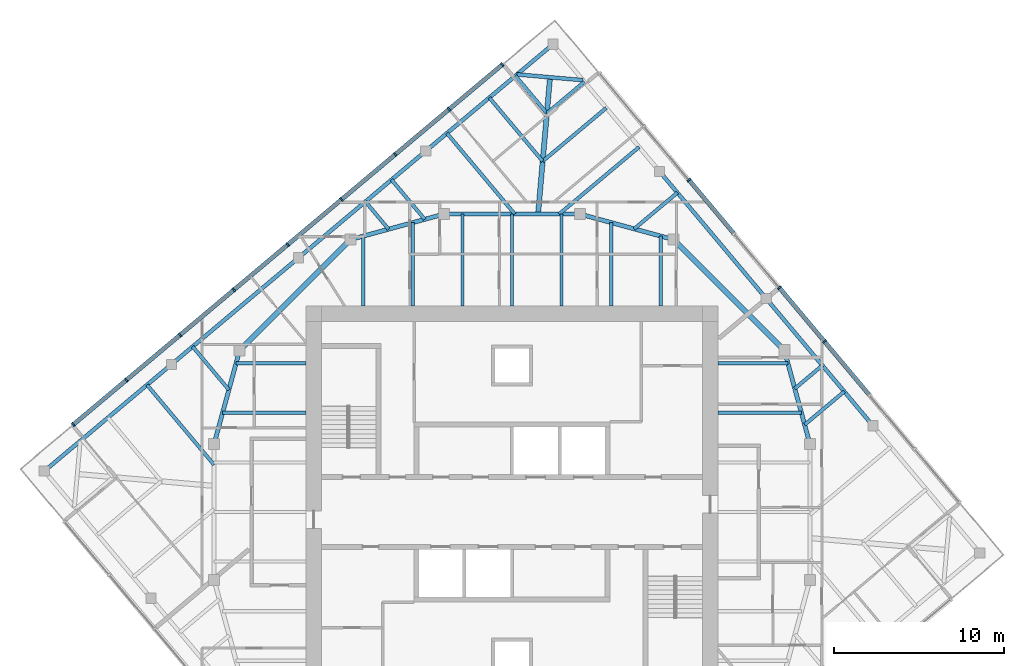
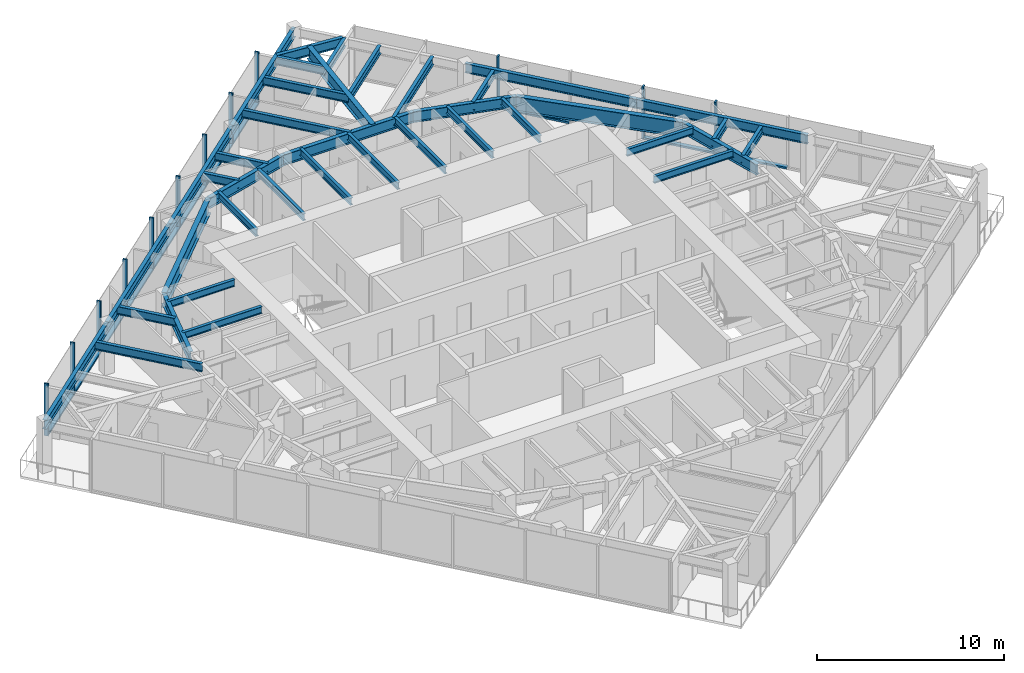
# One storey, part 4 of 12: 39 beams, 23 members, 2 elements without a shape of their own.
"""IFC4 building model written with IfcOpenShell, lengths in metres."""

from ifc_helpers import new_model, si_unit, direction, frame, origin, origin_2d, place, context, subcontext, project, spatial, rectangle, i_section, extrude, material, material_profile, profile_set, type_object, element, aggregate, save


model = new_model("IFC4")

# Units and contexts
model_context = context("Model", 3, precision=1e-05, world=origin(), true_north=direction((0.0, 1.0)))
body_context = subcontext(model_context, "Body", "Model", "MODEL_VIEW")
ifc_project = project(units=[si_unit("LENGTHUNIT", "METRE"), si_unit("AREAUNIT", "SQUARE_METRE"), si_unit("VOLUMEUNIT", "CUBIC_METRE"), si_unit("PLANEANGLEUNIT", "RADIAN"), si_unit("MASSUNIT", "GRAM", prefix="KILO")], contexts=[model_context])

# Site, building, storey
site_placement = place(None, origin())
site = spatial("IfcSite", under=ifc_project, at=site_placement, CompositionType="ELEMENT")
building_placement = place(site_placement, origin())
building = spatial("IfcBuilding", under=site, at=building_placement, Name="Torsade Residences", CompositionType="ELEMENT")
storey_placement = place(building_placement, frame((0.0, 0.0, 293.0)))
storey = spatial("IfcBuildingStorey", under=building, at=storey_placement, Name="L81", CompositionType="ELEMENT", Elevation=293.0)

# Beams
ifc_material_1 = material(Name="Steel grade 300", Category="steel")
ifc_material_profile_1 = material_profile(ifc_material_1, i_section(OverallWidth=0.300048828125, OverallDepth=0.800048828125, WebThickness=0.010009765625, FlangeThickness=0.02001953125, at=origin_2d()), Name="800WB146")
ifc_profile_set_1 = profile_set([ifc_material_profile_1], Name="Steel grade 300")
beam_type_1 = type_object("IfcBeamType", Name="CORNER GIRDER 800WB146", PredefinedType="BEAM", material=ifc_profile_set_1)
beam_1_placement = place(storey_placement, frame((42.234130859375, 55.53515625, 2.85009765625), z_axis=(-0.087172957961, -0.996193191806, 0.0), x_axis=(0.996193191806, -0.087172957961, 0.0)))
element("IfcBeam", 1, at=beam_1_placement, inside=storey, type_object=beam_type_1, Name="Corner girder 09 L82", PredefinedType="BEAM", context=body_context, shape_type="SweptSolid", body=[
    extrude(i_section(OverallWidth=0.300048828125, OverallDepth=0.800048828125, WebThickness=0.010009765625, FlangeThickness=0.02001953125, at=origin_2d()), origin(), (0.0, 0.0, 1.0), 8.06591796875),
])
ifc_material_2 = material(Name="Steel grade 300", Category="steel")
ifc_material_profile_2 = material_profile(ifc_material_2, i_section(OverallWidth=0.22802734375, OverallDepth=0.60205078125, WebThickness=0.010498046875, FlangeThickness=0.014892578125, FilletRadius=0.013916015625, at=origin_2d()), Name="610UB101")
ifc_profile_set_2 = profile_set([ifc_material_profile_2], Name="Steel grade 300")
beam_type_2 = type_object("IfcBeamType", Name="CORNER TRIMMER 610UB101", PredefinedType="BEAM", material=ifc_profile_set_2)
beam_2_placement = place(storey_placement, frame((40.296875, 55.70458984375, 2.948974609375), z_axis=(0.996196646947, -0.087133464362, 0.0), x_axis=(0.087133464362, 0.996196646947, 0.0)))
element("IfcBeam", 2, at=beam_2_placement, inside=storey, type_object=beam_type_2, Name="Corner trimmer 09 L82", PredefinedType="BEAM", context=body_context, shape_type="SweptSolid", body=[
    extrude(i_section(OverallWidth=0.22802734375, OverallDepth=0.60205078125, WebThickness=0.010498046875, FlangeThickness=0.014892578125, FilletRadius=0.013916015625, at=origin_2d()), origin(), (0.0, 0.0, 1.0), 3.88916015625),
])
ifc_material_3 = material(Name="Steel grade 300", Category="steel")
ifc_material_profile_3 = material_profile(ifc_material_3, i_section(OverallWidth=0.22802734375, OverallDepth=0.60205078125, WebThickness=0.010498046875, FlangeThickness=0.014892578125, FilletRadius=0.013916015625, at=origin_2d()), Name="610UB101")
ifc_profile_set_3 = profile_set([ifc_material_profile_3], Name="Steel grade 300")
beam_type_3 = type_object("IfcBeamType", Name="EDGE BEAM 610UB101", PredefinedType="SPANDREL", material=ifc_profile_set_3)
for number, where, z_axis, x_axis, name in (
    (3, (61.205078125, 35.0654296875, 2.948974609375), (-0.642779160279, 0.766051532934, 0.0), (-0.766051532934, -0.642779160279, 0.0), "Edge beam 06 L82"),
    (4, (54.93798828125, 42.534423828125, 2.948974609375), (-0.642806184154, 0.766028856906, 0.0), (-0.766028856906, -0.642806184154, 0.0), "Edge beam 07 L82"),
    (5, (42.403564453125, 57.47216796875, 2.948974609375), (-0.766051532934, -0.642779160279, 0.0), (0.642779160279, -0.766051532934, 0.0), "Edge beam 09 L82"),
    (6, (34.9345703125, 51.205078125, 2.948974609375), (-0.766051532934, -0.642779160279, 0.0), (0.642779160279, -0.766051532934, 0.0), "Edge beam 10 L82"),
    (7, (27.465576171875, 44.93798828125, 2.948974609375), (-0.766028856906, -0.642806184154, 0.0), (0.642806184154, -0.766028856906, 0.0), "Edge beam 11 L82"),
    (8, (19.996826171875, 38.670654296875, 2.948974609375), (-0.766051532934, -0.642779160279, 0.0), (0.642779160279, -0.766051532934, 0.0), "Edge beam 12 L82"),
):
    element("IfcBeam", number, at=place(storey_placement, frame(where, z_axis=z_axis, x_axis=x_axis)), inside=storey, type_object=beam_type_3, Name=name, PredefinedType="SPANDREL", context=body_context, shape_type="SweptSolid", body=[
        extrude(i_section(OverallWidth=0.22802734375, OverallDepth=0.60205078125, WebThickness=0.010498046875, FlangeThickness=0.014892578125, FilletRadius=0.013916015625, at=origin_2d()), origin(), (0.0, 0.0, 1.0), 9.75),
    ])

# Curtain wall, members
ifc_material_4 = material(Name="Aluminium and glass", Category="aluminium")
curtain_wall_type = type_object("IfcCurtainWallType", Name="FRITTED GLASS CURTAIN WALL HIGH ZONE", PredefinedType="NOTDEFINED", material=ifc_material_4)
curtain_wall_1_placement = place(storey_placement, origin())
curtain_wall_1 = element("IfcCurtainWall", 9, at=curtain_wall_1_placement, inside=storey, type_object=curtain_wall_type, Name="Curtain wall L81 face 4", PredefinedType="NOTDEFINED")
ifc_material_5 = material(Name="Aluminium mullion", Category="aluminium")
ifc_material_profile_4 = material_profile(ifc_material_5, rectangle(XDim=0.25, YDim=0.10009765625, at=origin_2d()), Name="HIGH ZONE CURTAIN WALL MULLION 250x100")
ifc_profile_set_4 = profile_set([ifc_material_profile_4], Name="Aluminium mullion")
member_type_1 = type_object("IfcMemberType", Name="HIGH ZONE CURTAIN WALL MULLION 250x100", PredefinedType="MULLION", material=ifc_profile_set_4)
member_1_placement = place(storey_placement, frame((58.35546875, 40.017333984375, 0.0), z_axis=(0.0, 0.0, 1.0), x_axis=(-0.766044437106, -0.642787616853, 0.0)))
member_1 = element("IfcMember", 10, at=member_1_placement, type_object=member_type_1, Name="Mullion 4", PredefinedType="MULLION", context=body_context, shape_type="SweptSolid", body=[
    extrude(rectangle(XDim=0.25, YDim=0.10009765625, at=origin_2d()), origin(), (0.0, 0.0, 1.0), 3.39990234375),
])
member_2_placement = place(storey_placement, frame((55.703857421875, 43.17724609375, 0.0), z_axis=(0.0, 0.0, 1.0), x_axis=(-0.766044437106, -0.642787616853, 0.0)))
member_2 = element("IfcMember", 11, at=member_2_placement, type_object=member_type_1, Name="Mullion 5", PredefinedType="MULLION", context=body_context, shape_type="SweptSolid", body=[
    extrude(rectangle(XDim=0.25, YDim=0.10009765625, at=origin_2d()), origin(), (0.0, 0.0, 1.0), 3.39990234375),
])
member_3_placement = place(storey_placement, frame((50.40087890625, 49.4970703125, 0.0), z_axis=(0.0, 0.0, 1.0), x_axis=(-0.766044437106, -0.642787616853, 0.0)))
member_3 = element("IfcMember", 12, at=member_3_placement, type_object=member_type_1, Name="Mullion 7", PredefinedType="MULLION", context=body_context, shape_type="SweptSolid", body=[
    extrude(rectangle(XDim=0.25, YDim=0.10009765625, at=origin_2d()), origin(), (0.0, 0.0, 1.0), 3.39990234375),
])

curtain_wall_2_placement = place(storey_placement, origin())
curtain_wall_2 = element("IfcCurtainWall", 13, at=curtain_wall_2_placement, inside=storey, type_object=curtain_wall_type, Name="Curtain wall L81 face 7", PredefinedType="NOTDEFINED")
member_4_placement = place(storey_placement, frame((39.42431640625, 56.27783203125, 0.0), z_axis=(0.0, 0.0, 1.0), x_axis=(0.642787616853, -0.766044437106, 0.0)))
member_4 = element("IfcMember", 14, at=member_4_placement, type_object=member_type_1, Name="Mullion 1", PredefinedType="MULLION", context=body_context, shape_type="SweptSolid", body=[
    extrude(rectangle(XDim=0.25, YDim=0.10009765625, at=origin_2d()), origin(), (0.0, 0.0, 1.0), 3.39990234375),
])
member_5_placement = place(storey_placement, frame((36.302734375, 53.658447265625, 0.0), z_axis=(0.0, 0.0, 1.0), x_axis=(0.642787616853, -0.766044437106, 0.0)))
member_5 = element("IfcMember", 15, at=member_5_placement, type_object=member_type_1, Name="Mullion 2", PredefinedType="MULLION", context=body_context, shape_type="SweptSolid", body=[
    extrude(rectangle(XDim=0.25, YDim=0.10009765625, at=origin_2d()), origin(), (0.0, 0.0, 1.0), 3.39990234375),
])
member_6_placement = place(storey_placement, frame((33.142822265625, 51.0068359375, 0.0), z_axis=(0.0, 0.0, 1.0), x_axis=(0.642787616853, -0.766044437106, 0.0)))
member_6 = element("IfcMember", 16, at=member_6_placement, type_object=member_type_1, Name="Mullion 3", PredefinedType="MULLION", context=body_context, shape_type="SweptSolid", body=[
    extrude(rectangle(XDim=0.25, YDim=0.10009765625, at=origin_2d()), origin(), (0.0, 0.0, 1.0), 3.39990234375),
])
member_7_placement = place(storey_placement, frame((29.982666015625, 48.35546875, 0.0), z_axis=(0.0, 0.0, 1.0), x_axis=(0.642787616853, -0.766044437106, 0.0)))
member_7 = element("IfcMember", 17, at=member_7_placement, type_object=member_type_1, Name="Mullion 4", PredefinedType="MULLION", context=body_context, shape_type="SweptSolid", body=[
    extrude(rectangle(XDim=0.25, YDim=0.10009765625, at=origin_2d()), origin(), (0.0, 0.0, 1.0), 3.39990234375),
])
member_8_placement = place(storey_placement, frame((26.82275390625, 45.703857421875, 0.0), z_axis=(0.0, 0.0, 1.0), x_axis=(0.642787616853, -0.766044437106, 0.0)))
member_8 = element("IfcMember", 18, at=member_8_placement, type_object=member_type_1, Name="Mullion 5", PredefinedType="MULLION", context=body_context, shape_type="SweptSolid", body=[
    extrude(rectangle(XDim=0.25, YDim=0.10009765625, at=origin_2d()), origin(), (0.0, 0.0, 1.0), 3.39990234375),
])
member_9_placement = place(storey_placement, frame((23.662841796875, 43.052490234375, 0.0), z_axis=(0.0, 0.0, 1.0), x_axis=(0.642787616853, -0.766044437106, 0.0)))
member_9 = element("IfcMember", 19, at=member_9_placement, type_object=member_type_1, Name="Mullion 6", PredefinedType="MULLION", context=body_context, shape_type="SweptSolid", body=[
    extrude(rectangle(XDim=0.25, YDim=0.10009765625, at=origin_2d()), origin(), (0.0, 0.0, 1.0), 3.39990234375),
])
member_10_placement = place(storey_placement, frame((20.5029296875, 40.40087890625, 0.0), z_axis=(0.0, 0.0, 1.0), x_axis=(0.642787616853, -0.766044437106, 0.0)))
member_10 = element("IfcMember", 20, at=member_10_placement, type_object=member_type_1, Name="Mullion 7", PredefinedType="MULLION", context=body_context, shape_type="SweptSolid", body=[
    extrude(rectangle(XDim=0.25, YDim=0.10009765625, at=origin_2d()), origin(), (0.0, 0.0, 1.0), 3.39990234375),
])
member_11_placement = place(storey_placement, frame((17.343017578125, 37.74951171875, 0.0), z_axis=(0.0, 0.0, 1.0), x_axis=(0.642787616853, -0.766044437106, 0.0)))
member_11 = element("IfcMember", 21, at=member_11_placement, type_object=member_type_1, Name="Mullion 8", PredefinedType="MULLION", context=body_context, shape_type="SweptSolid", body=[
    extrude(rectangle(XDim=0.25, YDim=0.10009765625, at=origin_2d()), origin(), (0.0, 0.0, 1.0), 3.39990234375),
])
member_12_placement = place(storey_placement, frame((14.221435546875, 35.130126953125, 0.0), z_axis=(0.0, 0.0, 1.0), x_axis=(0.642787616853, -0.766044437106, 0.0)))
member_12 = element("IfcMember", 22, at=member_12_placement, type_object=member_type_1, Name="Mullion 9", PredefinedType="MULLION", context=body_context, shape_type="SweptSolid", body=[
    extrude(rectangle(XDim=0.25, YDim=0.10009765625, at=origin_2d()), origin(), (0.0, 0.0, 1.0), 3.39990234375),
])

# Member
ifc_material_6 = material(Name="Aluminium transom", Category="aluminium")
ifc_material_profile_5 = material_profile(ifc_material_6, rectangle(XDim=0.25, YDim=0.1201171875, at=origin_2d()), Name="HIGH ZONE CURTAIN WALL TRANSOM 250x120")
ifc_profile_set_5 = profile_set([ifc_material_profile_5], Name="Aluminium transom")
member_type_2 = type_object("IfcMemberType", Name="HIGH ZONE CURTAIN WALL TRANSOM 250x120", PredefinedType="USERDEFINED", material=ifc_profile_set_5)
member_13_placement = place(storey_placement, frame((60.974853515625, 36.8955078125, 0.06005859375), z_axis=(-0.642793719372, 0.766039316443, 0.0), x_axis=(-0.766039316443, -0.642793719372, 0.0)))
member_13 = element("IfcMember", 23, at=member_13_placement, type_object=member_type_2, Name="Transom 3.1", ObjectType="TRANSOM", PredefinedType="USERDEFINED", context=body_context, shape_type="SweptSolid", body=[
    extrude(rectangle(XDim=0.25, YDim=0.1201171875, at=origin_2d()), origin(), (0.0, 0.0, 1.0), 4.025146484375),
])

member_14_placement = place(storey_placement, frame((58.3232421875, 40.055419921875, 0.06005859375), z_axis=(-0.6427581255, 0.766069182322, 0.0), x_axis=(-0.766069182322, -0.6427581255, 0.0)))
member_14 = element("IfcMember", 24, at=member_14_placement, type_object=member_type_2, Name="Transom 4.1", ObjectType="TRANSOM", PredefinedType="USERDEFINED", context=body_context, shape_type="SweptSolid", body=[
    extrude(rectangle(XDim=0.25, YDim=0.1201171875, at=origin_2d()), origin(), (0.0, 0.0, 1.0), 4.025146484375),
])

member_15_placement = place(storey_placement, frame((53.020263671875, 46.37548828125, 0.06005859375), z_axis=(-0.642787992616, 0.766044121803, 0.0), x_axis=(-0.766044121803, -0.642787992616, 0.0)))
member_15 = element("IfcMember", 25, at=member_15_placement, type_object=member_type_2, Name="Transom 6.1", ObjectType="TRANSOM", PredefinedType="USERDEFINED", context=body_context, shape_type="SweptSolid", body=[
    extrude(rectangle(XDim=0.25, YDim=0.1201171875, at=origin_2d()), origin(), (0.0, 0.0, 1.0), 4.02490234375),
])

aggregate(curtain_wall_1, [member_1, member_2, member_3, member_13, member_14, member_15])

member_16_placement = place(storey_placement, frame((39.385986328125, 56.24560546875, 0.06005859375), z_axis=(-0.766021778456, -0.642814619413, 0.0), x_axis=(0.642814619413, -0.766021778456, 0.0)))
member_16 = element("IfcMember", 26, at=member_16_placement, type_object=member_type_2, Name="Transom 1.1", ObjectType="TRANSOM", PredefinedType="USERDEFINED", context=body_context, shape_type="SweptSolid", body=[
    extrude(rectangle(XDim=0.25, YDim=0.1201171875, at=origin_2d()), origin(), (0.0, 0.0, 1.0), 3.97509765625),
])

member_17_placement = place(storey_placement, frame((36.264404296875, 53.626220703125, 0.06005859375), z_axis=(-0.766069182322, -0.6427581255, 0.0), x_axis=(0.6427581255, -0.766069182322, 0.0)))
member_17 = element("IfcMember", 27, at=member_17_placement, type_object=member_type_2, Name="Transom 2.1", ObjectType="TRANSOM", PredefinedType="USERDEFINED", context=body_context, shape_type="SweptSolid", body=[
    extrude(rectangle(XDim=0.25, YDim=0.1201171875, at=origin_2d()), origin(), (0.0, 0.0, 1.0), 4.025146484375),
])

member_18_placement = place(storey_placement, frame((33.1044921875, 50.974853515625, 0.06005859375), z_axis=(-0.766039316443, -0.642793719372, 0.0), x_axis=(0.642793719372, -0.766039316443, 0.0)))
member_18 = element("IfcMember", 28, at=member_18_placement, type_object=member_type_2, Name="Transom 3.1", ObjectType="TRANSOM", PredefinedType="USERDEFINED", context=body_context, shape_type="SweptSolid", body=[
    extrude(rectangle(XDim=0.25, YDim=0.1201171875, at=origin_2d()), origin(), (0.0, 0.0, 1.0), 4.025146484375),
])

member_19_placement = place(storey_placement, frame((29.944580078125, 48.3232421875, 0.06005859375), z_axis=(-0.766069182322, -0.6427581255, 0.0), x_axis=(0.6427581255, -0.766069182322, 0.0)))
member_19 = element("IfcMember", 29, at=member_19_placement, type_object=member_type_2, Name="Transom 4.1", ObjectType="TRANSOM", PredefinedType="USERDEFINED", context=body_context, shape_type="SweptSolid", body=[
    extrude(rectangle(XDim=0.25, YDim=0.1201171875, at=origin_2d()), origin(), (0.0, 0.0, 1.0), 4.025146484375),
])

member_20_placement = place(storey_placement, frame((26.78466796875, 45.671875, 0.06005859375), z_axis=(-0.766039316443, -0.642793719372, 0.0), x_axis=(0.642793719372, -0.766039316443, 0.0)))
member_20 = element("IfcMember", 30, at=member_20_placement, type_object=member_type_2, Name="Transom 5.1", ObjectType="TRANSOM", PredefinedType="USERDEFINED", context=body_context, shape_type="SweptSolid", body=[
    extrude(rectangle(XDim=0.25, YDim=0.1201171875, at=origin_2d()), origin(), (0.0, 0.0, 1.0), 4.025146484375),
])

member_21_placement = place(storey_placement, frame((23.62451171875, 43.020263671875, 0.06005859375), z_axis=(-0.766044121803, -0.642787992616, 0.0), x_axis=(0.642787992616, -0.766044121803, 0.0)))
member_21 = element("IfcMember", 31, at=member_21_placement, type_object=member_type_2, Name="Transom 6.1", ObjectType="TRANSOM", PredefinedType="USERDEFINED", context=body_context, shape_type="SweptSolid", body=[
    extrude(rectangle(XDim=0.25, YDim=0.1201171875, at=origin_2d()), origin(), (0.0, 0.0, 1.0), 4.02490234375),
])

member_22_placement = place(storey_placement, frame((20.464599609375, 40.36865234375, 0.06005859375), z_axis=(-0.766044121803, -0.642787992616, 0.0), x_axis=(0.642787992616, -0.766044121803, 0.0)))
member_22 = element("IfcMember", 32, at=member_22_placement, type_object=member_type_2, Name="Transom 7.1", ObjectType="TRANSOM", PredefinedType="USERDEFINED", context=body_context, shape_type="SweptSolid", body=[
    extrude(rectangle(XDim=0.25, YDim=0.1201171875, at=origin_2d()), origin(), (0.0, 0.0, 1.0), 4.02490234375),
])

member_23_placement = place(storey_placement, frame((17.3046875, 37.71728515625, 0.06005859375), z_axis=(-0.766021778456, -0.642814619413, 0.0), x_axis=(0.642814619413, -0.766021778456, 0.0)))
member_23 = element("IfcMember", 33, at=member_23_placement, type_object=member_type_2, Name="Transom 8.1", ObjectType="TRANSOM", PredefinedType="USERDEFINED", context=body_context, shape_type="SweptSolid", body=[
    extrude(rectangle(XDim=0.25, YDim=0.1201171875, at=origin_2d()), origin(), (0.0, 0.0, 1.0), 3.97509765625),
])

aggregate(curtain_wall_2, [member_4, member_5, member_6, member_7, member_8, member_9, member_10, member_11, member_12, member_16, member_17, member_18, member_19, member_20, member_21, member_22, member_23])

# Beams
ifc_material_7 = material(Name="Steel grade 300", Category="steel")
ifc_material_profile_6 = material_profile(ifc_material_7, i_section(OverallWidth=0.18994140625, OverallDepth=0.4541015625, WebThickness=0.008544921875, FlangeThickness=0.0126953125, FilletRadius=0.011474609375, at=origin_2d()), Name="460UB67.1")
ifc_profile_set_6 = profile_set([ifc_material_profile_6], Name="Steel grade 300")
beam_type_4 = type_object("IfcBeamType", Name="INNER FLOOR BEAM 460UB67.1", PredefinedType="JOIST", material=ifc_profile_set_6)
beam_3_placement = place(storey_placement, frame((31.262451171875, 42.10009765625, 3.02294921875), z_axis=(0.0, 1.0, 0.0), x_axis=(-1.0, 0.0, 0.0)))
element("IfcBeam", 34, at=beam_3_placement, inside=storey, type_object=beam_type_4, Name="Inner floor beam IN01 L82", PredefinedType="JOIST", context=body_context, shape_type="SweptSolid", body=[
    extrude(i_section(OverallWidth=0.18994140625, OverallDepth=0.4541015625, WebThickness=0.008544921875, FlangeThickness=0.0126953125, FilletRadius=0.011474609375, at=origin_2d()), origin(), (0.0, 0.0, 1.0), 4.10791015625),
])
beam_4_placement = place(storey_placement, frame((34.175048828125, 42.10009765625, 3.02294921875), z_axis=(0.0, 1.0, 0.0), x_axis=(-1.0, 0.0, 0.0)))
element("IfcBeam", 35, at=beam_4_placement, inside=storey, type_object=beam_type_4, Name="Inner floor beam IN02 L82", PredefinedType="JOIST", context=body_context, shape_type="SweptSolid", body=[
    extrude(i_section(OverallWidth=0.18994140625, OverallDepth=0.4541015625, WebThickness=0.008544921875, FlangeThickness=0.0126953125, FilletRadius=0.011474609375, at=origin_2d()), origin(), (0.0, 0.0, 1.0), 4.902099609375),
])
for number, where, z_axis, x_axis, name in (
    (36, (37.08740234375, 42.10009765625, 3.02294921875), (0.0, 1.0, 0.0), (-1.0, 0.0, 0.0), "Inner floor beam IN03 L82"),
    (37, (40.0, 42.10009765625, 3.02294921875), (0.0, 1.0, 0.0), (-1.0, 0.0, 0.0), "Inner floor beam IN04 L82"),
    (38, (42.91259765625, 42.10009765625, 3.02294921875), (0.0, 1.0, 0.0), (-1.0, 0.0, 0.0), "Inner floor beam IN05 L82"),
):
    element("IfcBeam", number, at=place(storey_placement, frame(where, z_axis=z_axis, x_axis=x_axis)), inside=storey, type_object=beam_type_4, Name=name, PredefinedType="JOIST", context=body_context, shape_type="SweptSolid", body=[
        extrude(i_section(OverallWidth=0.18994140625, OverallDepth=0.4541015625, WebThickness=0.008544921875, FlangeThickness=0.0126953125, FilletRadius=0.011474609375, at=origin_2d()), origin(), (0.0, 0.0, 1.0), 5.39990234375),
    ])
beam_5_placement = place(storey_placement, frame((45.824951171875, 42.10009765625, 3.02294921875), z_axis=(0.0, 1.0, 0.0), x_axis=(-1.0, 0.0, 0.0)))
element("IfcBeam", 39, at=beam_5_placement, inside=storey, type_object=beam_type_4, Name="Inner floor beam IN06 L82", PredefinedType="JOIST", context=body_context, shape_type="SweptSolid", body=[
    extrude(i_section(OverallWidth=0.18994140625, OverallDepth=0.4541015625, WebThickness=0.008544921875, FlangeThickness=0.0126953125, FilletRadius=0.011474609375, at=origin_2d()), origin(), (0.0, 0.0, 1.0), 4.902099609375),
])
beam_6_placement = place(storey_placement, frame((48.737548828125, 42.10009765625, 3.02294921875), z_axis=(0.0, 1.0, 0.0), x_axis=(-1.0, 0.0, 0.0)))
element("IfcBeam", 40, at=beam_6_placement, inside=storey, type_object=beam_type_4, Name="Inner floor beam IN07 L82", PredefinedType="JOIST", context=body_context, shape_type="SweptSolid", body=[
    extrude(i_section(OverallWidth=0.18994140625, OverallDepth=0.4541015625, WebThickness=0.008544921875, FlangeThickness=0.0126953125, FilletRadius=0.011474609375, at=origin_2d()), origin(), (0.0, 0.0, 1.0), 4.10791015625),
])
beam_7_placement = place(storey_placement, frame((52.10009765625, 35.824951171875, 3.02294921875), z_axis=(1.0, 0.0, 0.0), x_axis=(0.0, 1.0, 0.0)))
element("IfcBeam", 41, at=beam_7_placement, inside=storey, type_object=beam_type_4, Name="Inner floor beam IE06 L82", PredefinedType="JOIST", context=body_context, shape_type="SweptSolid", body=[
    extrude(i_section(OverallWidth=0.18994140625, OverallDepth=0.4541015625, WebThickness=0.008544921875, FlangeThickness=0.0126953125, FilletRadius=0.011474609375, at=origin_2d()), origin(), (0.0, 0.0, 1.0), 4.902099609375),
])
for number, where, z_axis, x_axis, name in (
    (42, (52.10009765625, 38.737548828125, 3.02294921875), (1.0, 0.0, 0.0), (0.0, 1.0, 0.0), "Inner floor beam IE07 L82"),
    (43, (27.89990234375, 38.737548828125, 3.02294921875), (-1.0, 0.0, 0.0), (0.0, -1.0, 0.0), "Inner floor beam IW01 L82"),
):
    element("IfcBeam", number, at=place(storey_placement, frame(where, z_axis=z_axis, x_axis=x_axis)), inside=storey, type_object=beam_type_4, Name=name, PredefinedType="JOIST", context=body_context, shape_type="SweptSolid", body=[
        extrude(i_section(OverallWidth=0.18994140625, OverallDepth=0.4541015625, WebThickness=0.008544921875, FlangeThickness=0.0126953125, FilletRadius=0.011474609375, at=origin_2d()), origin(), (0.0, 0.0, 1.0), 4.10791015625),
    ])
beam_8_placement = place(storey_placement, frame((27.89990234375, 35.824951171875, 3.02294921875), z_axis=(-1.0, 0.0, 0.0), x_axis=(0.0, -1.0, 0.0)))
element("IfcBeam", 44, at=beam_8_placement, inside=storey, type_object=beam_type_4, Name="Inner floor beam IW02 L82", PredefinedType="JOIST", context=body_context, shape_type="SweptSolid", body=[
    extrude(i_section(OverallWidth=0.18994140625, OverallDepth=0.4541015625, WebThickness=0.008544921875, FlangeThickness=0.0126953125, FilletRadius=0.011474609375, at=origin_2d()), origin(), (0.0, 0.0, 1.0), 4.902099609375),
])
ifc_material_8 = material(Name="Steel grade 300", Category="steel")
ifc_material_profile_7 = material_profile(ifc_material_8, i_section(OverallWidth=0.300048828125, OverallDepth=1.0, WebThickness=0.01611328125, FlangeThickness=0.028076171875, at=origin_2d()), Name="1000WB215")
ifc_profile_set_7 = profile_set([ifc_material_profile_7], Name="Steel grade 300")
beam_type_5 = type_object("IfcBeamType", Name="RING CORNER GIRDER 1000WB215", PredefinedType="BEAM", material=ifc_profile_set_7)
for number, where, z_axis, x_axis, name in (
    (45, (56.0, 39.5, 2.75), (-0.707106781187, 0.707106781187, 0.0), (-0.707106781187, -0.707106781187, 0.0), "Ring girder IR03 L82"),
    (46, (30.5, 46.0, 2.75), (-0.707106781187, -0.707106781187, 0.0), (0.707106781187, -0.707106781187, 0.0), "Ring girder IR07 L82"),
):
    element("IfcBeam", number, at=place(storey_placement, frame(where, z_axis=z_axis, x_axis=x_axis)), inside=storey, type_object=beam_type_5, Name=name, PredefinedType="BEAM", context=body_context, shape_type="SweptSolid", body=[
        extrude(i_section(OverallWidth=0.300048828125, OverallDepth=1.0, WebThickness=0.01611328125, FlangeThickness=0.028076171875, at=origin_2d()), origin(), (0.0, 0.0, 1.0), 9.1923828125),
    ])
ifc_material_9 = material(Name="Steel grade 300", Category="steel")
ifc_material_profile_8 = material_profile(ifc_material_9, i_section(OverallWidth=0.25, OverallDepth=0.699951171875, WebThickness=0.010009765625, FlangeThickness=0.02001953125, at=origin_2d()), Name="700WB130")
ifc_profile_set_8 = profile_set([ifc_material_profile_8], Name="Steel grade 300")
beam_type_6 = type_object("IfcBeamType", Name="RING GIRDER 700WB130", PredefinedType="BEAM", material=ifc_profile_set_8)
for number, where, z_axis, x_axis, name in (
    (47, (57.5, 34.0, 2.89990234375), (-0.263117405792, 0.964763821238, 0.0), (-0.964763821238, -0.263117405792, 0.0), "Ring girder IR02 L82"),
    (48, (49.5, 46.0, 2.89990234375), (-0.964763821238, 0.263117405792, 0.0), (-0.263117405792, -0.964763821238, 0.0), "Ring girder IR04 L82"),
):
    element("IfcBeam", number, at=place(storey_placement, frame(where, z_axis=z_axis, x_axis=x_axis)), inside=storey, type_object=beam_type_6, Name=name, PredefinedType="BEAM", context=body_context, shape_type="SweptSolid", body=[
        extrude(i_section(OverallWidth=0.25, OverallDepth=0.699951171875, WebThickness=0.010009765625, FlangeThickness=0.02001953125, at=origin_2d()), origin(), (0.0, 0.0, 1.0), 5.700927734375),
    ])
beam_9_placement = place(storey_placement, frame((44.0, 47.5, 2.89990234375), z_axis=(-1.0, 0.0, 0.0), x_axis=(0.0, -1.0, 0.0)))
element("IfcBeam", 49, at=beam_9_placement, inside=storey, type_object=beam_type_6, Name="Ring girder IR05 L82", PredefinedType="BEAM", context=body_context, shape_type="SweptSolid", body=[
    extrude(i_section(OverallWidth=0.25, OverallDepth=0.699951171875, WebThickness=0.010009765625, FlangeThickness=0.02001953125, at=origin_2d()), origin(), (0.0, 0.0, 1.0), 8.0),
])
for number, where, z_axis, x_axis, name in (
    (50, (36.0, 47.5, 2.89990234375), (-0.964763821238, -0.263117405792, 0.0), (0.263117405792, -0.964763821238, 0.0), "Ring girder IR06 L82"),
    (51, (24.0, 39.5, 2.89990234375), (-0.263117405792, -0.964763821238, 0.0), (0.964763821238, -0.263117405792, 0.0), "Ring girder IR08 L82"),
):
    element("IfcBeam", number, at=place(storey_placement, frame(where, z_axis=z_axis, x_axis=x_axis)), inside=storey, type_object=beam_type_6, Name=name, PredefinedType="BEAM", context=body_context, shape_type="SweptSolid", body=[
        extrude(i_section(OverallWidth=0.25, OverallDepth=0.699951171875, WebThickness=0.010009765625, FlangeThickness=0.02001953125, at=origin_2d()), origin(), (0.0, 0.0, 1.0), 5.700927734375),
    ])
ifc_material_10 = material(Name="Steel grade 300", Category="steel")
ifc_material_profile_9 = material_profile(ifc_material_10, i_section(OverallWidth=0.208984375, OverallDepth=0.532958984375, WebThickness=0.01025390625, FlangeThickness=0.015625, FilletRadius=0.013916015625, at=origin_2d()), Name="530UB92.4")
ifc_profile_set_9 = profile_set([ifc_material_profile_9], Name="Steel grade 300")
beam_type_7 = type_object("IfcBeamType", Name="SECONDARY BEAM 530UB92.4", PredefinedType="JOIST", material=ifc_profile_set_9)
beam_10_placement = place(storey_placement, frame((59.517822265625, 37.076171875, 2.9833984375), z_axis=(-0.766080361029, -0.64274480196, 0.0), x_axis=(0.64274480196, -0.766080361029, 0.0)))
element("IfcBeam", 52, at=beam_10_placement, inside=storey, type_object=beam_type_7, Name="Floor beam FE04 L82", PredefinedType="JOIST", context=body_context, shape_type="SweptSolid", body=[
    extrude(i_section(OverallWidth=0.208984375, OverallDepth=0.532958984375, WebThickness=0.01025390625, FlangeThickness=0.015625, FilletRadius=0.013916015625, at=origin_2d()), origin(), (0.0, 0.0, 1.0), 3.03466796875),
])
beam_11_placement = place(storey_placement, frame((58.232177734375, 38.6083984375, 2.9833984375), z_axis=(-0.766057560226, -0.642771977004, 0.0), x_axis=(0.642771977004, -0.766057560226, 0.0)))
element("IfcBeam", 53, at=beam_11_placement, inside=storey, type_object=beam_type_7, Name="Floor beam FE05 L82", PredefinedType="JOIST", context=body_context, shape_type="SweptSolid", body=[
    extrude(i_section(OverallWidth=0.208984375, OverallDepth=0.532958984375, WebThickness=0.01025390625, FlangeThickness=0.015625, FilletRadius=0.013916015625, at=origin_2d()), origin(), (0.0, 0.0, 1.0), 2.113037109375),
])
beam_12_placement = place(storey_placement, frame((49.71533203125, 48.758544921875, 2.9833984375), z_axis=(-0.766044990879, -0.642786956891, 0.0), x_axis=(0.642786956891, -0.766044990879, 0.0)))
element("IfcBeam", 54, at=beam_12_placement, inside=storey, type_object=beam_type_7, Name="Floor beam FE09 L82", PredefinedType="JOIST", context=body_context, shape_type="SweptSolid", body=[
    extrude(i_section(OverallWidth=0.208984375, OverallDepth=0.532958984375, WebThickness=0.01025390625, FlangeThickness=0.015625, FilletRadius=0.013916015625, at=origin_2d()), origin(), (0.0, 0.0, 1.0), 3.307861328125),
])
beam_13_placement = place(storey_placement, frame((47.465576171875, 51.439697265625, 2.9833984375), z_axis=(-0.766039049329, -0.642794037701, 0.0), x_axis=(0.642794037701, -0.766039049329, 0.0)))
element("IfcBeam", 55, at=beam_13_placement, inside=storey, type_object=beam_type_7, Name="Floor beam FE10 L82", PredefinedType="JOIST", context=body_context, shape_type="SweptSolid", body=[
    extrude(i_section(OverallWidth=0.208984375, OverallDepth=0.532958984375, WebThickness=0.01025390625, FlangeThickness=0.015625, FilletRadius=0.013916015625, at=origin_2d()), origin(), (0.0, 0.0, 1.0), 6.12890625),
])
beam_14_placement = place(storey_placement, frame((45.537109375, 53.73779296875, 2.9833984375), z_axis=(-0.766041186946, -0.642791490223, 0.0), x_axis=(0.642791490223, -0.766041186946, 0.0)))
element("IfcBeam", 56, at=beam_14_placement, inside=storey, type_object=beam_type_7, Name="Floor beam FE11 L82", PredefinedType="JOIST", context=body_context, shape_type="SweptSolid", body=[
    extrude(i_section(OverallWidth=0.208984375, OverallDepth=0.532958984375, WebThickness=0.01025390625, FlangeThickness=0.015625, FilletRadius=0.013916015625, at=origin_2d()), origin(), (0.0, 0.0, 1.0), 4.875),
])
for number, where, z_axis, x_axis, name in (
    (57, (44.25146484375, 55.269775390625, 2.9833984375), (-0.766066093402, -0.642761807001, 0.0), (0.642761807001, -0.766066093402, 0.0), "Floor beam FE12 L82"),
    (58, (40.201171875, 55.624267578125, 2.9833984375), (0.642761807001, -0.766066093402, 0.0), (0.766066093402, 0.642761807001, 0.0), "Floor beam FN01 L82"),
):
    element("IfcBeam", number, at=place(storey_placement, frame(where, z_axis=z_axis, x_axis=x_axis)), inside=storey, type_object=beam_type_7, Name=name, PredefinedType="JOIST", context=body_context, shape_type="SweptSolid", body=[
        extrude(i_section(OverallWidth=0.208984375, OverallDepth=0.532958984375, WebThickness=0.01025390625, FlangeThickness=0.015625, FilletRadius=0.013916015625, at=origin_2d()), origin(), (0.0, 0.0, 1.0), 2.875),
    ])
beam_15_placement = place(storey_placement, frame((38.6689453125, 54.338623046875, 2.9833984375), z_axis=(0.642820877376, -0.766016526982, 0.0), x_axis=(0.766016526982, 0.642820877376, 0.0)))
element("IfcBeam", 59, at=beam_15_placement, inside=storey, type_object=beam_type_7, Name="Floor beam FN02 L82", PredefinedType="JOIST", context=body_context, shape_type="SweptSolid", body=[
    extrude(i_section(OverallWidth=0.208984375, OverallDepth=0.532958984375, WebThickness=0.01025390625, FlangeThickness=0.015625, FilletRadius=0.013916015625, at=origin_2d()), origin(), (0.0, 0.0, 1.0), 4.875),
])
beam_16_placement = place(storey_placement, frame((36.179443359375, 52.24951171875, 2.9833984375), z_axis=(0.642791209238, -0.766041422722, 0.0), x_axis=(0.766041422722, 0.642791209238, 0.0)))
element("IfcBeam", 60, at=beam_16_placement, inside=storey, type_object=beam_type_7, Name="Floor beam FN03 L82", PredefinedType="JOIST", context=body_context, shape_type="SweptSolid", body=[
    extrude(i_section(OverallWidth=0.208984375, OverallDepth=0.532958984375, WebThickness=0.01025390625, FlangeThickness=0.015625, FilletRadius=0.013916015625, at=origin_2d()), origin(), (0.0, 0.0, 1.0), 6.199951171875),
])
beam_17_placement = place(storey_placement, frame((32.923828125, 49.517822265625, 2.9833984375), z_axis=(0.64274480196, -0.766080361029, 0.0), x_axis=(0.766080361029, 0.64274480196, 0.0)))
element("IfcBeam", 61, at=beam_17_placement, inside=storey, type_object=beam_type_7, Name="Floor beam FN04 L82", PredefinedType="JOIST", context=body_context, shape_type="SweptSolid", body=[
    extrude(i_section(OverallWidth=0.208984375, OverallDepth=0.532958984375, WebThickness=0.01025390625, FlangeThickness=0.015625, FilletRadius=0.013916015625, at=origin_2d()), origin(), (0.0, 0.0, 1.0), 3.03466796875),
])
beam_18_placement = place(storey_placement, frame((31.3916015625, 48.232177734375, 2.9833984375), z_axis=(0.642771977004, -0.766057560226, 0.0), x_axis=(0.766057560226, 0.642771977004, 0.0)))
element("IfcBeam", 62, at=beam_18_placement, inside=storey, type_object=beam_type_7, Name="Floor beam FN05 L82", PredefinedType="JOIST", context=body_context, shape_type="SweptSolid", body=[
    extrude(i_section(OverallWidth=0.208984375, OverallDepth=0.532958984375, WebThickness=0.01025390625, FlangeThickness=0.015625, FilletRadius=0.013916015625, at=origin_2d()), origin(), (0.0, 0.0, 1.0), 2.113037109375),
])
beam_19_placement = place(storey_placement, frame((21.241455078125, 39.71533203125, 2.9833984375), z_axis=(0.642786956891, -0.766044990879, 0.0), x_axis=(0.766044990879, 0.642786956891, 0.0)))
element("IfcBeam", 63, at=beam_19_placement, inside=storey, type_object=beam_type_7, Name="Floor beam FN09 L82", PredefinedType="JOIST", context=body_context, shape_type="SweptSolid", body=[
    extrude(i_section(OverallWidth=0.208984375, OverallDepth=0.532958984375, WebThickness=0.01025390625, FlangeThickness=0.015625, FilletRadius=0.013916015625, at=origin_2d()), origin(), (0.0, 0.0, 1.0), 3.307861328125),
])
beam_20_placement = place(storey_placement, frame((18.560302734375, 37.465576171875, 2.9833984375), z_axis=(0.642794037701, -0.766039049329, 0.0), x_axis=(0.766039049329, 0.642794037701, 0.0)))
element("IfcBeam", 64, at=beam_20_placement, inside=storey, type_object=beam_type_7, Name="Floor beam FN10 L82", PredefinedType="JOIST", context=body_context, shape_type="SweptSolid", body=[
    extrude(i_section(OverallWidth=0.208984375, OverallDepth=0.532958984375, WebThickness=0.01025390625, FlangeThickness=0.015625, FilletRadius=0.013916015625, at=origin_2d()), origin(), (0.0, 0.0, 1.0), 6.12890625),
])

save(model, "model.ifc")
